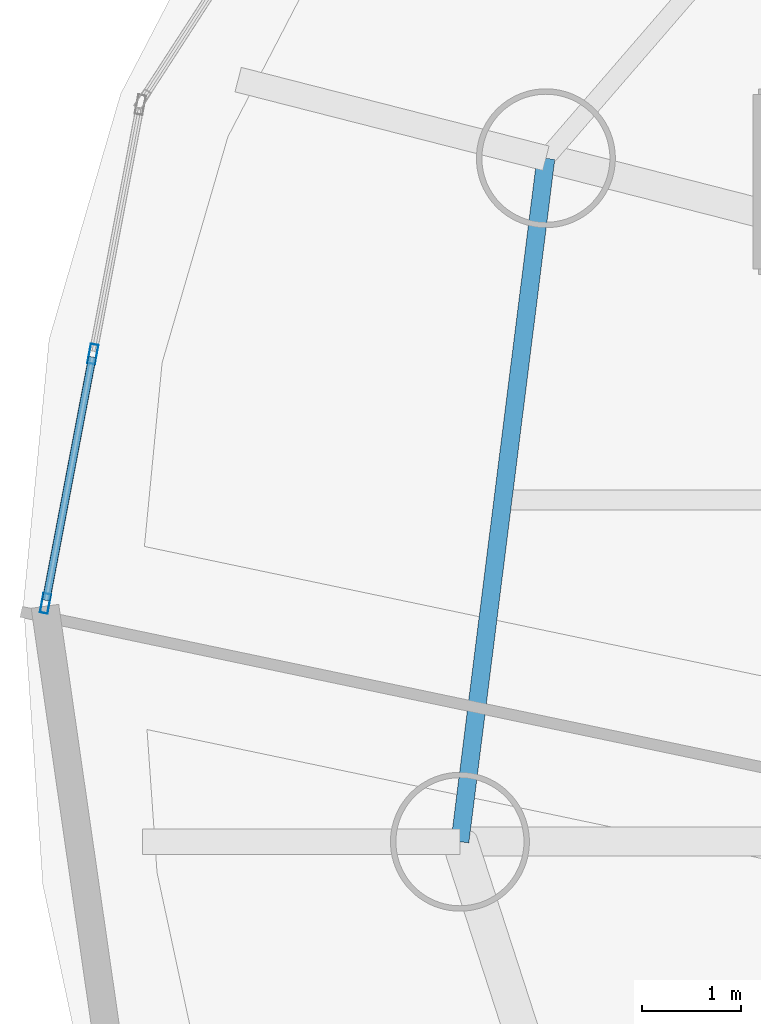
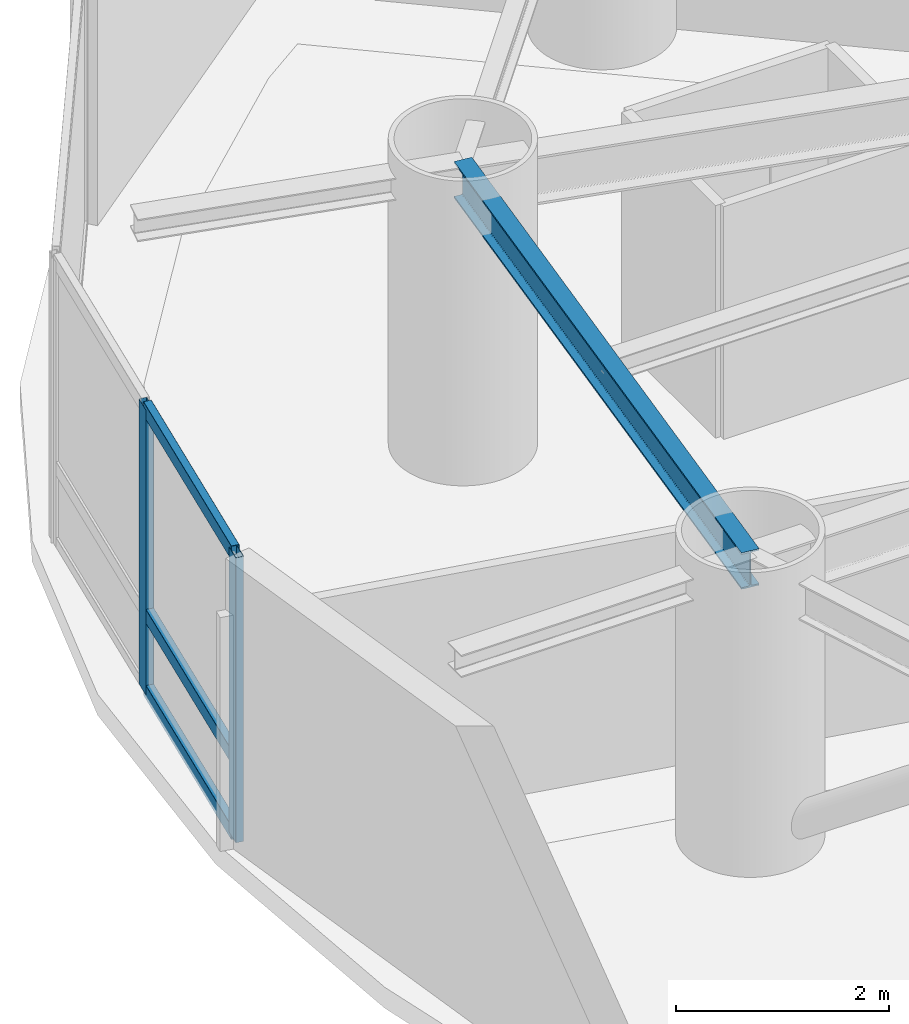
# One storey, part 5 of 22: 5 members, 1 beam, 1 element without a shape of its own.
"""IFC4 building model written with IfcOpenShell, lengths in metres."""

from ifc_helpers import new_model, si_unit, direction, frame, origin, origin_2d, place, context, subcontext, project, spatial, hollow_rectangle, i_section, extrude, material, layer, layer_set, material_profile, profile_set, type_object, element, aggregate, save


model = new_model("IFC4")

# Units and contexts
model_context = context("Model", 3, precision=1e-05, world=origin(), true_north=direction((0.0, 1.0)))
body_context = subcontext(model_context, "Body", "Model", "MODEL_VIEW")
ifc_project = project(units=[si_unit("LENGTHUNIT", "METRE"), si_unit("AREAUNIT", "SQUARE_METRE"), si_unit("VOLUMEUNIT", "CUBIC_METRE"), si_unit("PLANEANGLEUNIT", "RADIAN"), si_unit("MASSUNIT", "GRAM", prefix="KILO")], contexts=[model_context])

# Site, building, storey
site_placement = place(None, origin())
site = spatial("IfcSite", under=ifc_project, at=site_placement, CompositionType="ELEMENT")
building_placement = place(site_placement, origin())
building = spatial("IfcBuilding", under=site, at=building_placement, Name="Bramvorn Convention Spire", CompositionType="ELEMENT")
storey_placement = place(building_placement, frame((0.0, 0.0, 120.300048828125)))
storey = spatial("IfcBuildingStorey", under=building, at=storey_placement, Name="L29", CompositionType="ELEMENT", Elevation=120.300048828125)

# Beam
ifc_material_1 = material(Name="Steel CSA G40.21 Grade 350 (350W)", Category="steel")
ifc_material_profile_1 = material_profile(ifc_material_1, i_section(OverallWidth=0.180908203125, OverallDepth=0.4169921875, WebThickness=0.010986328125, FlangeThickness=0.018310546875, FilletRadius=0.01611328125, at=origin_2d()))
ifc_profile_set_1 = profile_set([ifc_material_profile_1], Name="Steel CSA G40.21 Grade 350 (350W) - W410X85")
beam_type = type_object("IfcBeamType", Name="BM-W410X85", PredefinedType="JOIST", material=ifc_profile_set_1)
beam_placement = place(storey_placement, frame((13.88232421875, 36.73779296875, 3.051513671875), z_axis=(-0.124775053879, -0.992185056292, 0.0), x_axis=(0.992185056292, -0.124775053879, 0.0)))
element("IfcBeam", 1, at=beam_placement, inside=storey, type_object=beam_type, Name="L29 mega-column ring beam 09", PredefinedType="JOIST", context=body_context, shape_type="SweptSolid", body=[
    extrude(i_section(OverallWidth=0.180908203125, OverallDepth=0.4169921875, WebThickness=0.010986328125, FlangeThickness=0.018310546875, FilletRadius=0.01611328125, at=origin_2d()), origin(), (0.0, 0.0, 1.0), 6.940185546875),
])

# Curtain wall, members
ifc_material_2 = material(Name="Anodised Bronze Unitised Curtain Wall", Category="aluminium")
ifc_layer = layer(ifc_material_2, 0.179931640625)
ifc_layer_set = layer_set([ifc_layer], Name="Anodised Bronze Unitised Curtain Wall - CW-HTL-FRIT")
curtain_wall_type = type_object("IfcCurtainWallType", Name="CW-HTL-FRIT", PredefinedType="USERDEFINED", material=ifc_layer_set)
curtain_wall_placement = place(storey_placement, origin())
curtain_wall = element("IfcCurtainWall", 2, at=curtain_wall_placement, inside=storey, type_object=curtain_wall_type, Name="L29 fritted glass curtain wall 13", ObjectType="UNITISED CURTAIN WALL", PredefinedType="USERDEFINED")
ifc_material_3 = material(Name="Anodised Bronze Aluminium 6063-T6", Category="aluminium")
ifc_material_profile_2 = material_profile(ifc_material_3, hollow_rectangle(XDim=0.080078125, YDim=0.199951171875, WallThickness=0.00390625, InnerFilletRadius=0.0009765625, OuterFilletRadius=0.00390625, at=origin_2d()))
ifc_profile_set_2 = profile_set([ifc_material_profile_2], Name="Anodised Bronze Aluminium 6063-T6 - CWM80X200")
member_type_1 = type_object("IfcMemberType", Name="CW-MUL-180", PredefinedType="MULLION", material=ifc_profile_set_2)
member_1_placement = place(storey_placement, frame((8.841064453125, 32.253173828125, 0.0), z_axis=(0.0, 0.0, 1.0), x_axis=(-0.982378633672, 0.186901632162, 0.0)))
member_1 = element("IfcMember", 3, at=member_1_placement, type_object=member_type_1, Name="CW2 mullion 1", PredefinedType="MULLION", context=body_context, shape_type="SweptSolid", body=[
    extrude(hollow_rectangle(XDim=0.080078125, YDim=0.199951171875, WallThickness=0.00390625, InnerFilletRadius=0.0009765625, OuterFilletRadius=0.00390625, at=origin_2d()), origin(), (0.0, 0.0, 1.0), 3.260009765625),
])
member_2_placement = place(storey_placement, frame((9.31884765625, 34.76513671875, 0.0), z_axis=(0.0, 0.0, 1.0), x_axis=(-0.982378633672, 0.186901632162, 0.0)))
member_2 = element("IfcMember", 4, at=member_2_placement, type_object=member_type_1, Name="CW2 mullion 2", PredefinedType="MULLION", context=body_context, shape_type="SweptSolid", body=[
    extrude(hollow_rectangle(XDim=0.080078125, YDim=0.199951171875, WallThickness=0.00390625, InnerFilletRadius=0.0009765625, OuterFilletRadius=0.00390625, at=origin_2d()), origin(), (0.0, 0.0, 1.0), 3.260009765625),
])
ifc_material_profile_3 = material_profile(ifc_material_3, hollow_rectangle(XDim=0.080078125, YDim=0.159912109375, WallThickness=0.00390625, InnerFilletRadius=0.0009765625, OuterFilletRadius=0.00390625, at=origin_2d()))
ifc_profile_set_3 = profile_set([ifc_material_profile_3], Name="Anodised Bronze Aluminium 6063-T6 - CWT80X160")
member_type_2 = type_object("IfcMemberType", Name="CW-TRN-150", PredefinedType="USERDEFINED", material=ifc_profile_set_3)
member_3_placement = place(storey_placement, frame((8.8466796875, 32.282470703125, 0.030029296875), z_axis=(0.186820101965, 0.982394141626, 0.0), x_axis=(-0.982394141626, 0.186820101965, 0.0)))
member_3 = element("IfcMember", 5, at=member_3_placement, type_object=member_type_2, Name="CW2 transom 1.1", ObjectType="TRANSOM", PredefinedType="USERDEFINED", context=body_context, shape_type="SweptSolid", body=[
    extrude(hollow_rectangle(XDim=0.080078125, YDim=0.159912109375, WallThickness=0.00390625, InnerFilletRadius=0.0009765625, OuterFilletRadius=0.00390625, at=origin_2d()), origin(), (0.0, 0.0, 1.0), 2.497314453125),
])
member_4_placement = place(storey_placement, frame((8.8466796875, 32.282470703125, 0.89990234375), z_axis=(0.186820101965, 0.982394141626, 0.0), x_axis=(-0.982394141626, 0.186820101965, 0.0)))
member_4 = element("IfcMember", 6, at=member_4_placement, type_object=member_type_2, Name="CW2 transom 1.2", ObjectType="TRANSOM", PredefinedType="USERDEFINED", context=body_context, shape_type="SweptSolid", body=[
    extrude(hollow_rectangle(XDim=0.080078125, YDim=0.159912109375, WallThickness=0.00390625, InnerFilletRadius=0.0009765625, OuterFilletRadius=0.00390625, at=origin_2d()), origin(), (0.0, 0.0, 1.0), 2.497314453125),
])
member_5_placement = place(storey_placement, frame((8.8466796875, 32.282470703125, 3.22998046875), z_axis=(0.186820101965, 0.982394141626, 0.0), x_axis=(-0.982394141626, 0.186820101965, 0.0)))
member_5 = element("IfcMember", 7, at=member_5_placement, type_object=member_type_2, Name="CW2 transom 1.3", ObjectType="TRANSOM", PredefinedType="USERDEFINED", context=body_context, shape_type="SweptSolid", body=[
    extrude(hollow_rectangle(XDim=0.080078125, YDim=0.159912109375, WallThickness=0.00390625, InnerFilletRadius=0.0009765625, OuterFilletRadius=0.00390625, at=origin_2d()), origin(), (0.0, 0.0, 1.0), 2.497314453125),
])
aggregate(curtain_wall, [member_1, member_2, member_3, member_4, member_5])

save(model, "model.ifc")
